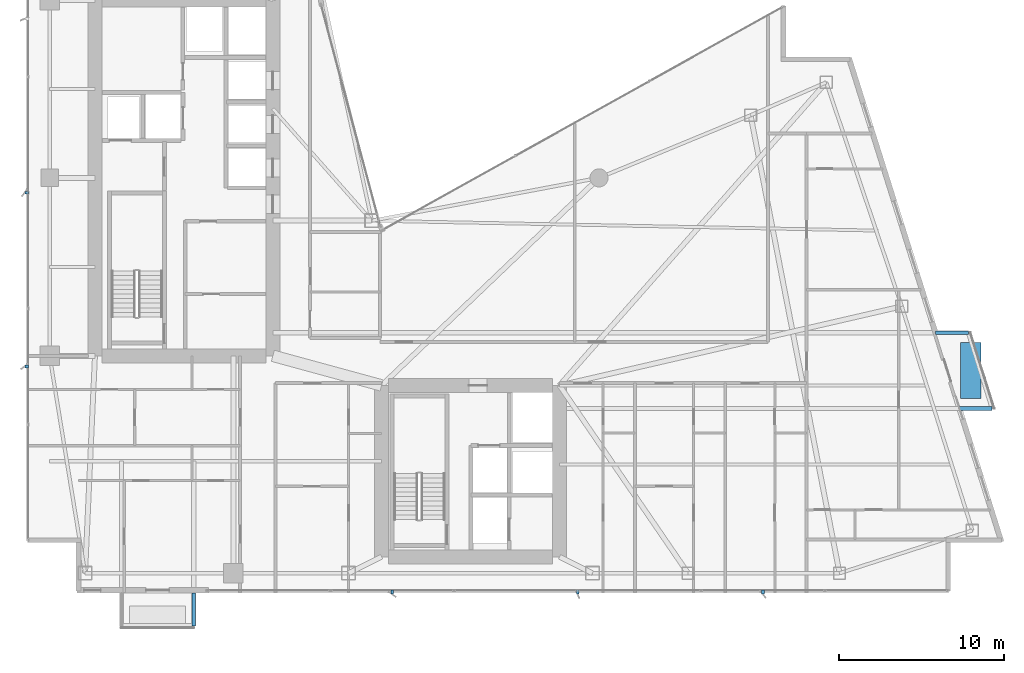
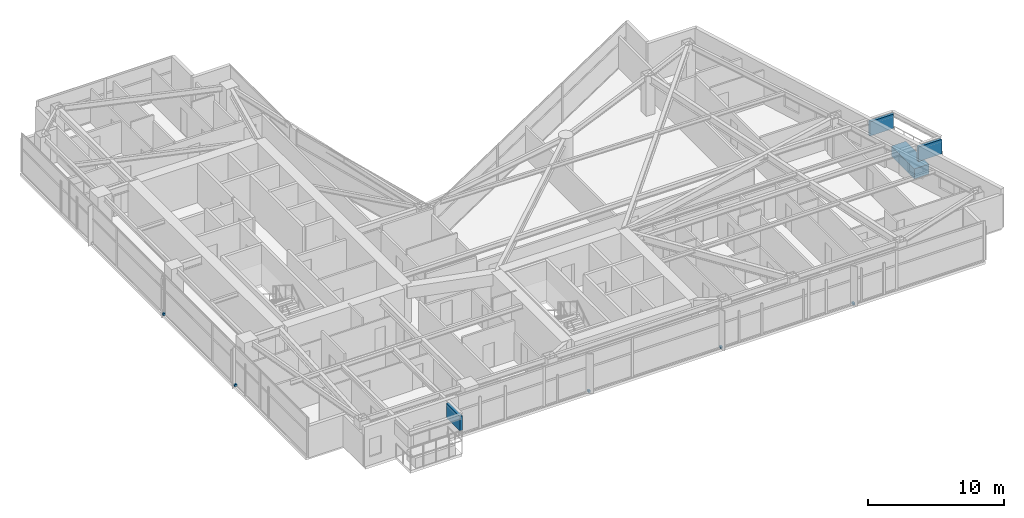
# One storey, part 26 of 29: 9 discrete accessories.
"""IFC4 building model written with IfcOpenShell, lengths in metres."""

from ifc_helpers import new_model, si_unit, direction, frame, origin, origin_2d, place, context, subcontext, project, spatial, rectangle, extrude, material, type_object, element, save


model = new_model("IFC4")

# Units and contexts
model_context = context("Model", 3, precision=1e-05, world=origin(), true_north=direction((0.0, 1.0)))
body_context = subcontext(model_context, "Body", "Model", "MODEL_VIEW")
ifc_project = project(units=[si_unit("LENGTHUNIT", "METRE"), si_unit("AREAUNIT", "SQUARE_METRE"), si_unit("VOLUMEUNIT", "CUBIC_METRE"), si_unit("PLANEANGLEUNIT", "RADIAN"), si_unit("MASSUNIT", "GRAM", prefix="KILO")], contexts=[model_context])

# Site, building, storey
site_placement = place(None, origin())
site = spatial("IfcSite", under=ifc_project, at=site_placement, CompositionType="ELEMENT")
building_placement = place(site_placement, origin())
building = spatial("IfcBuilding", under=site, at=building_placement, Name="Calvorn Quay Hotel", CompositionType="ELEMENT")
storey_placement = place(building_placement, frame((0.0, 0.0, 105.0)))
storey = spatial("IfcBuildingStorey", under=building, at=storey_placement, Name="L25", CompositionType="ELEMENT", Elevation=105.0)

# Discrete accessories
ifc_material_1 = material(Name="Steel Q355B", Category="steel")
discrete_accessory_type_1 = type_object("IfcDiscreteAccessoryType", Name="ACC-BALC-STRUT", PredefinedType="BRACKET", material=ifc_material_1)
for number, where, z_axis, x_axis, name in (
    (1, (57.674072265625, 13.60009765625, 2.01513671875), (0.0, 0.0, 1.0), (1.0, 0.0, 0.0), "Exterior Balcony Steel Bracket L26-BALC-E-A"),
    (2, (56.22509765625, 18.199951171875, 2.01513671875), (0.0, 0.0, 1.0), (1.0, 0.0, 0.0), "Exterior Balcony Steel Bracket L26-BALC-E-B"),
):
    element("IfcDiscreteAccessory", number, at=place(storey_placement, frame(where, z_axis=z_axis, x_axis=x_axis)), inside=storey, type_object=discrete_accessory_type_1, Name=name, PredefinedType="BRACKET", context=body_context, shape_type="SweptSolid", body=[
        extrude(rectangle(XDim=1.989990234375, YDim=0.219970703125, at=origin_2d()), origin(), (0.0, 0.0, 1.0), 1.300048828125),
    ])
discrete_accessory_1_placement = place(storey_placement, frame((10.199951171875, 1.405029296875, 2.01513671875), z_axis=(0.0, 0.0, 1.0), x_axis=(1.0, 0.0, 0.0)))
element("IfcDiscreteAccessory", 3, at=discrete_accessory_1_placement, inside=storey, type_object=discrete_accessory_type_1, Name="Exterior Balcony Steel Bracket L26-BALC-S-B", PredefinedType="BRACKET", context=body_context, shape_type="SweptSolid", body=[
    extrude(rectangle(XDim=0.219970703125, YDim=1.989990234375, at=origin_2d()), origin(), (0.0, 0.0, 1.0), 1.300048828125),
])
ifc_material_2 = material(Name="Steel Q355B", Category="steel")
discrete_accessory_type_2 = type_object("IfcDiscreteAccessoryType", Name="ACC-FIN-BRACKET", PredefinedType="BRACKET", material=ifc_material_2)
for number, where, z_axis, x_axis, name in (
    (4, (0.06005859375, 16.14990234375, 0.0302734375), (0.0, 0.0, 1.0), (1.0, 0.0, 0.0), "Fin Anchor Bracket L25-W01"),
    (5, (0.06005859375, 26.699951171875, 0.0302734375), (0.0, 0.0, 1.0), (1.0, 0.0, 0.0), "Fin Anchor Bracket L25-W02"),
    (6, (22.25, 2.4599609375, 0.0302734375), (0.0, 0.0, 1.0), (0.0, 1.0, 0.0), "Fin Anchor Bracket L25-S01"),
    (7, (33.5, 2.4599609375, 0.0302734375), (0.0, 0.0, 1.0), (0.0, 1.0, 0.0), "Fin Anchor Bracket L25-S02"),
    (8, (44.75, 2.4599609375, 0.0302734375), (0.0, 0.0, 1.0), (0.0, 1.0, 0.0), "Fin Anchor Bracket L25-S03"),
):
    element("IfcDiscreteAccessory", number, at=place(storey_placement, frame(where, z_axis=z_axis, x_axis=x_axis)), inside=storey, type_object=discrete_accessory_type_2, Name=name, PredefinedType="BRACKET", context=body_context, shape_type="SweptSolid", body=[
        extrude(rectangle(XDim=0.239990234375, YDim=0.159912109375, at=origin_2d()), origin(), (0.0, 0.0, 1.0), 0.179931640625),
    ])
ifc_material_3 = material(Name="Precast concrete C40", Category="concrete")
discrete_accessory_type_3 = type_object("IfcDiscreteAccessoryType", Name="ACC-TREE-PLANTER", PredefinedType="USERDEFINED", material=ifc_material_3)
discrete_accessory_2_placement = place(storey_placement, frame((57.364013671875, 15.89990234375, 0.0), z_axis=(0.0, 0.0, 1.0), x_axis=(1.0, 0.0, 0.0)))
element("IfcDiscreteAccessory", 9, at=discrete_accessory_2_placement, inside=storey, type_object=discrete_accessory_type_3, Name="Subtropical Tree Structural Planter L25-BALC-E", ObjectType="PLANTER", PredefinedType="USERDEFINED", context=body_context, shape_type="SweptSolid", body=[
    extrude(rectangle(XDim=1.25, YDim=3.39990234375, at=origin_2d()), origin(), (0.0, 0.0, 1.0), 0.89990234375),
])

save(model, "model.ifc")
